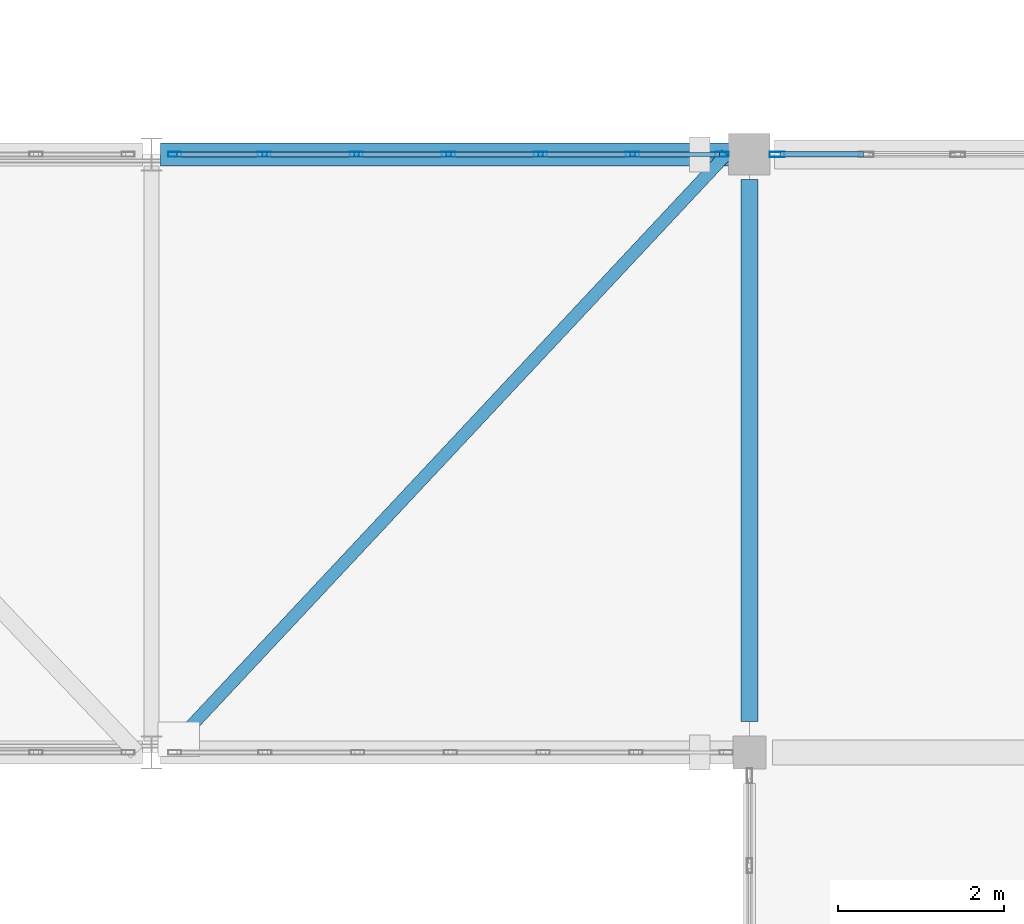
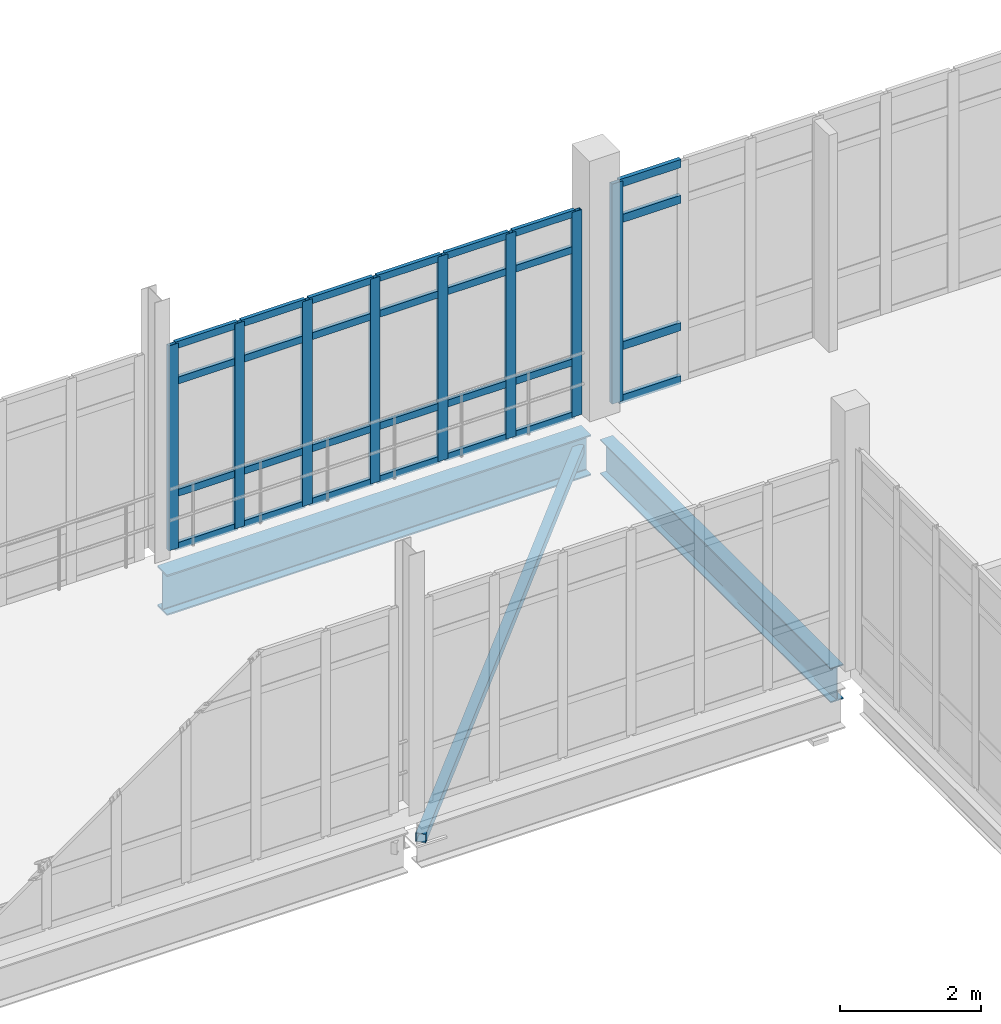
# One storey, part 50 of 116: 37 members, 2 beams, 2 elements without a shape of their own.
"""IFC4 building model written with IfcOpenShell, lengths in metres."""

from ifc_helpers import new_model, si_unit, direction, frame, origin, origin_2d, place, context, subcontext, project, spatial, hollow_rectangle, i_section, extrude, material, material_profile, profile_set, type_object, element, aggregate, save


model = new_model("IFC4")

# Units and contexts
model_context = context("Model", 3, precision=1e-05, world=origin(), true_north=direction((0.0, 1.0)))
body_context = subcontext(model_context, "Body", "Model", "MODEL_VIEW")
ifc_project = project(units=[si_unit("LENGTHUNIT", "METRE"), si_unit("AREAUNIT", "SQUARE_METRE"), si_unit("VOLUMEUNIT", "CUBIC_METRE"), si_unit("PLANEANGLEUNIT", "RADIAN"), si_unit("MASSUNIT", "GRAM", prefix="KILO")], contexts=[model_context])

# Site, building, storey
site_placement = place(None, origin())
site = spatial("IfcSite", under=ifc_project, at=site_placement, CompositionType="ELEMENT")
building_placement = place(site_placement, origin())
building = spatial("IfcBuilding", under=site, at=building_placement, Name="Kalluvel Institute of Natural Sciences", CompositionType="ELEMENT")
storey_placement = place(building_placement, frame((0.0, 0.0, 14.39990234375)))
storey = spatial("IfcBuildingStorey", under=building, at=storey_placement, Name="L03", CompositionType="ELEMENT", Elevation=14.39990234375)

# Beams
ifc_material_1 = material(Name="Steel E350 Grade 350", Category="steel")
ifc_material_profile_1 = material_profile(ifc_material_1, i_section(OverallWidth=0.2099609375, OverallDepth=0.60009765625, WebThickness=0.011962890625, FlangeThickness=0.020751953125, FilletRadius=0.02001953125, at=origin_2d()), Name="ISMB 600")
ifc_profile_set_1 = profile_set([ifc_material_profile_1], Name="Steel E350 Grade 350")
beam_type_1 = type_object("IfcBeamType", Name="BM-ISMB600", PredefinedType="BEAM", material=ifc_profile_set_1)
beam_1_placement = place(storey_placement, frame((100.39990234375, 28.77490234375, -0.619873046875), z_axis=(0.0, 1.0, 0.0), x_axis=(-1.0, 0.0, 0.0)))
element("IfcBeam", 1, at=beam_1_placement, inside=storey, type_object=beam_type_1, Name="L03 girder GIR-L03-NS-X1004-Y284", PredefinedType="BEAM", context=body_context, shape_type="SweptSolid", body=[
    extrude(i_section(OverallWidth=0.2099609375, OverallDepth=0.60009765625, WebThickness=0.011962890625, FlangeThickness=0.020751953125, FilletRadius=0.02001953125, at=origin_2d()), origin(), (0.0, 0.0, 1.0), 6.525146484375),
])
ifc_material_profile_2 = material_profile(ifc_material_1, i_section(OverallWidth=0.280029296875, OverallDepth=0.699951171875, WebThickness=0.013916015625, FlangeThickness=0.02392578125, FilletRadius=0.01611328125, at=origin_2d()), Name="WPG 700x280")
ifc_profile_set_2 = profile_set([ifc_material_profile_2], Name="Steel E350 Grade 350")
beam_type_2 = type_object("IfcBeamType", Name="BM-WPG700", PredefinedType="BEAM", material=ifc_profile_set_2)
beam_2_placement = place(storey_placement, frame((93.31005859375, 35.60009765625, -0.669921875), z_axis=(1.0, 0.0, 0.0), x_axis=(0.0, 1.0, 0.0)))
element("IfcBeam", 2, at=beam_2_placement, inside=storey, type_object=beam_type_2, Name="L03 link bridge main plate-girder chord 37", PredefinedType="BEAM", context=body_context, shape_type="SweptSolid", body=[
    extrude(i_section(OverallWidth=0.280029296875, OverallDepth=0.699951171875, WebThickness=0.013916015625, FlangeThickness=0.02392578125, FilletRadius=0.01611328125, at=origin_2d()), origin(), (0.0, 0.0, 1.0), 6.929931640625),
])

# Curtain wall, members
ifc_material_2 = material(Name="Aluminium AW-6063 T6", Category="aluminium")
curtain_wall_type_1 = type_object("IfcCurtainWallType", Name="CW-BRG-45", PredefinedType="USERDEFINED", material=ifc_material_2)
curtain_wall_1_placement = place(storey_placement, origin())
curtain_wall_1 = element("IfcCurtainWall", 3, at=curtain_wall_1_placement, inside=storey, type_object=curtain_wall_type_1, Name="L03 Gothic lancet curtain wall CWA-L03-X934-Y356", ObjectType="UNITISED LANCET FACADE", PredefinedType="USERDEFINED")
ifc_material_profile_3 = material_profile(ifc_material_2, hollow_rectangle(XDim=0.06005859375, YDim=0.159912109375, WallThickness=0.00390625, at=origin_2d()), Name="CWM 60x160")
ifc_profile_set_3 = profile_set([ifc_material_profile_3], Name="Aluminium AW-6063 T6")
member_type_1 = type_object("IfcMemberType", Name="CWM-60x160", PredefinedType="MULLION", material=ifc_profile_set_3)
member_1_placement = place(storey_placement, frame((93.47998046875, 35.60009765625, 0.0), z_axis=(0.0, 0.0, 1.0), x_axis=(0.0, 1.0, 0.0)))
member_1 = element("IfcMember", 4, at=member_1_placement, type_object=member_type_1, Name="CW-07 mullion 1", PredefinedType="MULLION", context=body_context, shape_type="SweptSolid", body=[
    extrude(hollow_rectangle(XDim=0.06005859375, YDim=0.159912109375, WallThickness=0.00390625, at=origin_2d()), origin(), (0.0, 0.0, 1.0), 3.5400390625),
])
member_2_placement = place(storey_placement, frame((94.558349609375, 35.60009765625, 0.0), z_axis=(0.0, 0.0, 1.0), x_axis=(0.0, 1.0, 0.0)))
member_2 = element("IfcMember", 5, at=member_2_placement, type_object=member_type_1, Name="CW-07 mullion 2", PredefinedType="MULLION", context=body_context, shape_type="SweptSolid", body=[
    extrude(hollow_rectangle(XDim=0.06005859375, YDim=0.159912109375, WallThickness=0.00390625, at=origin_2d()), origin(), (0.0, 0.0, 1.0), 3.5400390625),
])
member_3_placement = place(storey_placement, frame((95.666748046875, 35.60009765625, 0.0), z_axis=(0.0, 0.0, 1.0), x_axis=(0.0, 1.0, 0.0)))
member_3 = element("IfcMember", 6, at=member_3_placement, type_object=member_type_1, Name="CW-07 mullion 3", PredefinedType="MULLION", context=body_context, shape_type="SweptSolid", body=[
    extrude(hollow_rectangle(XDim=0.06005859375, YDim=0.159912109375, WallThickness=0.00390625, at=origin_2d()), origin(), (0.0, 0.0, 1.0), 3.5400390625),
])
member_4_placement = place(storey_placement, frame((96.77490234375, 35.60009765625, 0.0), z_axis=(0.0, 0.0, 1.0), x_axis=(0.0, 1.0, 0.0)))
member_4 = element("IfcMember", 7, at=member_4_placement, type_object=member_type_1, Name="CW-07 mullion 4", PredefinedType="MULLION", context=body_context, shape_type="SweptSolid", body=[
    extrude(hollow_rectangle(XDim=0.06005859375, YDim=0.159912109375, WallThickness=0.00390625, at=origin_2d()), origin(), (0.0, 0.0, 1.0), 3.5400390625),
])
member_5_placement = place(storey_placement, frame((97.88330078125, 35.60009765625, 0.0), z_axis=(0.0, 0.0, 1.0), x_axis=(0.0, 1.0, 0.0)))
member_5 = element("IfcMember", 8, at=member_5_placement, type_object=member_type_1, Name="CW-07 mullion 5", PredefinedType="MULLION", context=body_context, shape_type="SweptSolid", body=[
    extrude(hollow_rectangle(XDim=0.06005859375, YDim=0.159912109375, WallThickness=0.00390625, at=origin_2d()), origin(), (0.0, 0.0, 1.0), 3.5400390625),
])
member_6_placement = place(storey_placement, frame((98.99169921875, 35.60009765625, 0.0), z_axis=(0.0, 0.0, 1.0), x_axis=(0.0, 1.0, 0.0)))
member_6 = element("IfcMember", 9, at=member_6_placement, type_object=member_type_1, Name="CW-07 mullion 6", PredefinedType="MULLION", context=body_context, shape_type="SweptSolid", body=[
    extrude(hollow_rectangle(XDim=0.06005859375, YDim=0.159912109375, WallThickness=0.00390625, at=origin_2d()), origin(), (0.0, 0.0, 1.0), 3.5400390625),
])
member_7_placement = place(storey_placement, frame((100.070068359375, 35.60009765625, 0.0), z_axis=(0.0, 0.0, 1.0), x_axis=(0.0, 1.0, 0.0)))
member_7 = element("IfcMember", 10, at=member_7_placement, type_object=member_type_1, Name="CW-07 mullion 7", PredefinedType="MULLION", context=body_context, shape_type="SweptSolid", body=[
    extrude(hollow_rectangle(XDim=0.06005859375, YDim=0.159912109375, WallThickness=0.00390625, at=origin_2d()), origin(), (0.0, 0.0, 1.0), 3.5400390625),
])

# Curtain wall, member
curtain_wall_type_2 = type_object("IfcCurtainWallType", Name="CW-SPAV-45", PredefinedType="USERDEFINED", material=ifc_material_2)
curtain_wall_2_placement = place(storey_placement, origin())
curtain_wall_2 = element("IfcCurtainWall", 11, at=curtain_wall_2_placement, inside=storey, type_object=curtain_wall_type_2, Name="L03 Gothic lancet curtain wall CWA-L03-X1007-Y356", ObjectType="UNITISED LANCET FACADE", PredefinedType="USERDEFINED")
ifc_material_profile_4 = material_profile(ifc_material_2, hollow_rectangle(XDim=0.06494140625, YDim=0.179931640625, WallThickness=0.00439453125, at=origin_2d()), Name="CWM 65x180")
ifc_profile_set_4 = profile_set([ifc_material_profile_4], Name="Aluminium AW-6063 T6")
member_type_2 = type_object("IfcMemberType", Name="CWM-65x180", PredefinedType="MULLION", material=ifc_profile_set_4)
member_8_placement = place(storey_placement, frame((100.732421875, 35.60009765625, 0.0), z_axis=(0.0, 0.0, 1.0), x_axis=(0.0, 1.0, 0.0)))
member_8 = element("IfcMember", 12, at=member_8_placement, type_object=member_type_2, Name="CW-10 mullion 1", PredefinedType="MULLION", context=body_context, shape_type="SweptSolid", body=[
    extrude(hollow_rectangle(XDim=0.06494140625, YDim=0.179931640625, WallThickness=0.00439453125, at=origin_2d()), origin(), (0.0, 0.0, 1.0), 3.800048828125),
])

# Member
ifc_material_profile_5 = material_profile(ifc_material_2, hollow_rectangle(XDim=0.06005859375, YDim=0.1201171875, WallThickness=0.00390625, at=origin_2d()), Name="CWT 60x120")
ifc_profile_set_5 = profile_set([ifc_material_profile_5], Name="Aluminium AW-6063 T6")
member_type_3 = type_object("IfcMemberType", Name="CWT-60x120", PredefinedType="USERDEFINED", material=ifc_profile_set_5)
member_9_placement = place(storey_placement, frame((93.510009765625, 35.60009765625, 0.030029296875), z_axis=(1.0, 0.0, 0.0), x_axis=(0.0, 1.0, 0.0)))
member_9 = element("IfcMember", 13, at=member_9_placement, type_object=member_type_3, Name="CW-07 transom 1.1", ObjectType="TRANSOM", PredefinedType="USERDEFINED", context=body_context, shape_type="SweptSolid", body=[
    extrude(hollow_rectangle(XDim=0.06005859375, YDim=0.1201171875, WallThickness=0.00390625, at=origin_2d()), origin(), (0.0, 0.0, 1.0), 1.018310546875),
])

member_10_placement = place(storey_placement, frame((93.510009765625, 35.60009765625, 0.9501953125), z_axis=(1.0, 0.0, 0.0), x_axis=(0.0, 1.0, 0.0)))
member_10 = element("IfcMember", 14, at=member_10_placement, type_object=member_type_3, Name="CW-07 transom 1.2", ObjectType="TRANSOM", PredefinedType="USERDEFINED", context=body_context, shape_type="SweptSolid", body=[
    extrude(hollow_rectangle(XDim=0.06005859375, YDim=0.1201171875, WallThickness=0.00390625, at=origin_2d()), origin(), (0.0, 0.0, 1.0), 1.018310546875),
])

member_11_placement = place(storey_placement, frame((93.510009765625, 35.60009765625, 2.89013671875), z_axis=(1.0, 0.0, 0.0), x_axis=(0.0, 1.0, 0.0)))
member_11 = element("IfcMember", 15, at=member_11_placement, type_object=member_type_3, Name="CW-07 transom 1.3", ObjectType="TRANSOM", PredefinedType="USERDEFINED", context=body_context, shape_type="SweptSolid", body=[
    extrude(hollow_rectangle(XDim=0.06005859375, YDim=0.1201171875, WallThickness=0.00390625, at=origin_2d()), origin(), (0.0, 0.0, 1.0), 1.018310546875),
])

member_12_placement = place(storey_placement, frame((93.510009765625, 35.60009765625, 3.510009765625), z_axis=(1.0, 0.0, 0.0), x_axis=(0.0, 1.0, 0.0)))
member_12 = element("IfcMember", 16, at=member_12_placement, type_object=member_type_3, Name="CW-07 transom 1.4", ObjectType="TRANSOM", PredefinedType="USERDEFINED", context=body_context, shape_type="SweptSolid", body=[
    extrude(hollow_rectangle(XDim=0.06005859375, YDim=0.1201171875, WallThickness=0.00390625, at=origin_2d()), origin(), (0.0, 0.0, 1.0), 1.018310546875),
])

member_13_placement = place(storey_placement, frame((94.58837890625, 35.60009765625, 0.030029296875), z_axis=(1.0, 0.0, 0.0), x_axis=(0.0, 1.0, 0.0)))
member_13 = element("IfcMember", 17, at=member_13_placement, type_object=member_type_3, Name="CW-07 transom 2.1", ObjectType="TRANSOM", PredefinedType="USERDEFINED", context=body_context, shape_type="SweptSolid", body=[
    extrude(hollow_rectangle(XDim=0.06005859375, YDim=0.1201171875, WallThickness=0.00390625, at=origin_2d()), origin(), (0.0, 0.0, 1.0), 1.04833984375),
])

member_14_placement = place(storey_placement, frame((94.58837890625, 35.60009765625, 0.9501953125), z_axis=(1.0, 0.0, 0.0), x_axis=(0.0, 1.0, 0.0)))
member_14 = element("IfcMember", 18, at=member_14_placement, type_object=member_type_3, Name="CW-07 transom 2.2", ObjectType="TRANSOM", PredefinedType="USERDEFINED", context=body_context, shape_type="SweptSolid", body=[
    extrude(hollow_rectangle(XDim=0.06005859375, YDim=0.1201171875, WallThickness=0.00390625, at=origin_2d()), origin(), (0.0, 0.0, 1.0), 1.04833984375),
])

member_15_placement = place(storey_placement, frame((94.58837890625, 35.60009765625, 2.89013671875), z_axis=(1.0, 0.0, 0.0), x_axis=(0.0, 1.0, 0.0)))
member_15 = element("IfcMember", 19, at=member_15_placement, type_object=member_type_3, Name="CW-07 transom 2.3", ObjectType="TRANSOM", PredefinedType="USERDEFINED", context=body_context, shape_type="SweptSolid", body=[
    extrude(hollow_rectangle(XDim=0.06005859375, YDim=0.1201171875, WallThickness=0.00390625, at=origin_2d()), origin(), (0.0, 0.0, 1.0), 1.04833984375),
])

member_16_placement = place(storey_placement, frame((94.58837890625, 35.60009765625, 3.510009765625), z_axis=(1.0, 0.0, 0.0), x_axis=(0.0, 1.0, 0.0)))
member_16 = element("IfcMember", 20, at=member_16_placement, type_object=member_type_3, Name="CW-07 transom 2.4", ObjectType="TRANSOM", PredefinedType="USERDEFINED", context=body_context, shape_type="SweptSolid", body=[
    extrude(hollow_rectangle(XDim=0.06005859375, YDim=0.1201171875, WallThickness=0.00390625, at=origin_2d()), origin(), (0.0, 0.0, 1.0), 1.04833984375),
])

member_17_placement = place(storey_placement, frame((95.69677734375, 35.60009765625, 0.030029296875), z_axis=(1.0, 0.0, 0.0), x_axis=(0.0, 1.0, 0.0)))
member_17 = element("IfcMember", 21, at=member_17_placement, type_object=member_type_3, Name="CW-07 transom 3.1", ObjectType="TRANSOM", PredefinedType="USERDEFINED", context=body_context, shape_type="SweptSolid", body=[
    extrude(hollow_rectangle(XDim=0.06005859375, YDim=0.1201171875, WallThickness=0.00390625, at=origin_2d()), origin(), (0.0, 0.0, 1.0), 1.04833984375),
])

member_18_placement = place(storey_placement, frame((95.69677734375, 35.60009765625, 0.9501953125), z_axis=(1.0, 0.0, 0.0), x_axis=(0.0, 1.0, 0.0)))
member_18 = element("IfcMember", 22, at=member_18_placement, type_object=member_type_3, Name="CW-07 transom 3.2", ObjectType="TRANSOM", PredefinedType="USERDEFINED", context=body_context, shape_type="SweptSolid", body=[
    extrude(hollow_rectangle(XDim=0.06005859375, YDim=0.1201171875, WallThickness=0.00390625, at=origin_2d()), origin(), (0.0, 0.0, 1.0), 1.04833984375),
])

member_19_placement = place(storey_placement, frame((95.69677734375, 35.60009765625, 2.89013671875), z_axis=(1.0, 0.0, 0.0), x_axis=(0.0, 1.0, 0.0)))
member_19 = element("IfcMember", 23, at=member_19_placement, type_object=member_type_3, Name="CW-07 transom 3.3", ObjectType="TRANSOM", PredefinedType="USERDEFINED", context=body_context, shape_type="SweptSolid", body=[
    extrude(hollow_rectangle(XDim=0.06005859375, YDim=0.1201171875, WallThickness=0.00390625, at=origin_2d()), origin(), (0.0, 0.0, 1.0), 1.04833984375),
])

member_20_placement = place(storey_placement, frame((95.69677734375, 35.60009765625, 3.510009765625), z_axis=(1.0, 0.0, 0.0), x_axis=(0.0, 1.0, 0.0)))
member_20 = element("IfcMember", 24, at=member_20_placement, type_object=member_type_3, Name="CW-07 transom 3.4", ObjectType="TRANSOM", PredefinedType="USERDEFINED", context=body_context, shape_type="SweptSolid", body=[
    extrude(hollow_rectangle(XDim=0.06005859375, YDim=0.1201171875, WallThickness=0.00390625, at=origin_2d()), origin(), (0.0, 0.0, 1.0), 1.04833984375),
])

member_21_placement = place(storey_placement, frame((96.804931640625, 35.60009765625, 0.030029296875), z_axis=(1.0, 0.0, 0.0), x_axis=(0.0, 1.0, 0.0)))
member_21 = element("IfcMember", 25, at=member_21_placement, type_object=member_type_3, Name="CW-07 transom 4.1", ObjectType="TRANSOM", PredefinedType="USERDEFINED", context=body_context, shape_type="SweptSolid", body=[
    extrude(hollow_rectangle(XDim=0.06005859375, YDim=0.1201171875, WallThickness=0.00390625, at=origin_2d()), origin(), (0.0, 0.0, 1.0), 1.04833984375),
])

member_22_placement = place(storey_placement, frame((96.804931640625, 35.60009765625, 0.9501953125), z_axis=(1.0, 0.0, 0.0), x_axis=(0.0, 1.0, 0.0)))
member_22 = element("IfcMember", 26, at=member_22_placement, type_object=member_type_3, Name="CW-07 transom 4.2", ObjectType="TRANSOM", PredefinedType="USERDEFINED", context=body_context, shape_type="SweptSolid", body=[
    extrude(hollow_rectangle(XDim=0.06005859375, YDim=0.1201171875, WallThickness=0.00390625, at=origin_2d()), origin(), (0.0, 0.0, 1.0), 1.04833984375),
])

member_23_placement = place(storey_placement, frame((96.804931640625, 35.60009765625, 2.89013671875), z_axis=(1.0, 0.0, 0.0), x_axis=(0.0, 1.0, 0.0)))
member_23 = element("IfcMember", 27, at=member_23_placement, type_object=member_type_3, Name="CW-07 transom 4.3", ObjectType="TRANSOM", PredefinedType="USERDEFINED", context=body_context, shape_type="SweptSolid", body=[
    extrude(hollow_rectangle(XDim=0.06005859375, YDim=0.1201171875, WallThickness=0.00390625, at=origin_2d()), origin(), (0.0, 0.0, 1.0), 1.04833984375),
])

member_24_placement = place(storey_placement, frame((96.804931640625, 35.60009765625, 3.510009765625), z_axis=(1.0, 0.0, 0.0), x_axis=(0.0, 1.0, 0.0)))
member_24 = element("IfcMember", 28, at=member_24_placement, type_object=member_type_3, Name="CW-07 transom 4.4", ObjectType="TRANSOM", PredefinedType="USERDEFINED", context=body_context, shape_type="SweptSolid", body=[
    extrude(hollow_rectangle(XDim=0.06005859375, YDim=0.1201171875, WallThickness=0.00390625, at=origin_2d()), origin(), (0.0, 0.0, 1.0), 1.04833984375),
])

member_25_placement = place(storey_placement, frame((97.913330078125, 35.60009765625, 0.030029296875), z_axis=(1.0, 0.0, 0.0), x_axis=(0.0, 1.0, 0.0)))
member_25 = element("IfcMember", 29, at=member_25_placement, type_object=member_type_3, Name="CW-07 transom 5.1", ObjectType="TRANSOM", PredefinedType="USERDEFINED", context=body_context, shape_type="SweptSolid", body=[
    extrude(hollow_rectangle(XDim=0.06005859375, YDim=0.1201171875, WallThickness=0.00390625, at=origin_2d()), origin(), (0.0, 0.0, 1.0), 1.04833984375),
])

member_26_placement = place(storey_placement, frame((97.913330078125, 35.60009765625, 0.9501953125), z_axis=(1.0, 0.0, 0.0), x_axis=(0.0, 1.0, 0.0)))
member_26 = element("IfcMember", 30, at=member_26_placement, type_object=member_type_3, Name="CW-07 transom 5.2", ObjectType="TRANSOM", PredefinedType="USERDEFINED", context=body_context, shape_type="SweptSolid", body=[
    extrude(hollow_rectangle(XDim=0.06005859375, YDim=0.1201171875, WallThickness=0.00390625, at=origin_2d()), origin(), (0.0, 0.0, 1.0), 1.04833984375),
])

member_27_placement = place(storey_placement, frame((97.913330078125, 35.60009765625, 2.89013671875), z_axis=(1.0, 0.0, 0.0), x_axis=(0.0, 1.0, 0.0)))
member_27 = element("IfcMember", 31, at=member_27_placement, type_object=member_type_3, Name="CW-07 transom 5.3", ObjectType="TRANSOM", PredefinedType="USERDEFINED", context=body_context, shape_type="SweptSolid", body=[
    extrude(hollow_rectangle(XDim=0.06005859375, YDim=0.1201171875, WallThickness=0.00390625, at=origin_2d()), origin(), (0.0, 0.0, 1.0), 1.04833984375),
])

member_28_placement = place(storey_placement, frame((97.913330078125, 35.60009765625, 3.510009765625), z_axis=(1.0, 0.0, 0.0), x_axis=(0.0, 1.0, 0.0)))
member_28 = element("IfcMember", 32, at=member_28_placement, type_object=member_type_3, Name="CW-07 transom 5.4", ObjectType="TRANSOM", PredefinedType="USERDEFINED", context=body_context, shape_type="SweptSolid", body=[
    extrude(hollow_rectangle(XDim=0.06005859375, YDim=0.1201171875, WallThickness=0.00390625, at=origin_2d()), origin(), (0.0, 0.0, 1.0), 1.04833984375),
])

member_29_placement = place(storey_placement, frame((99.021728515625, 35.60009765625, 0.030029296875), z_axis=(1.0, 0.0, 0.0), x_axis=(0.0, 1.0, 0.0)))
member_29 = element("IfcMember", 33, at=member_29_placement, type_object=member_type_3, Name="CW-07 transom 6.1", ObjectType="TRANSOM", PredefinedType="USERDEFINED", context=body_context, shape_type="SweptSolid", body=[
    extrude(hollow_rectangle(XDim=0.06005859375, YDim=0.1201171875, WallThickness=0.00390625, at=origin_2d()), origin(), (0.0, 0.0, 1.0), 1.018310546875),
])

member_30_placement = place(storey_placement, frame((99.021728515625, 35.60009765625, 0.9501953125), z_axis=(1.0, 0.0, 0.0), x_axis=(0.0, 1.0, 0.0)))
member_30 = element("IfcMember", 34, at=member_30_placement, type_object=member_type_3, Name="CW-07 transom 6.2", ObjectType="TRANSOM", PredefinedType="USERDEFINED", context=body_context, shape_type="SweptSolid", body=[
    extrude(hollow_rectangle(XDim=0.06005859375, YDim=0.1201171875, WallThickness=0.00390625, at=origin_2d()), origin(), (0.0, 0.0, 1.0), 1.018310546875),
])

member_31_placement = place(storey_placement, frame((99.021728515625, 35.60009765625, 2.89013671875), z_axis=(1.0, 0.0, 0.0), x_axis=(0.0, 1.0, 0.0)))
member_31 = element("IfcMember", 35, at=member_31_placement, type_object=member_type_3, Name="CW-07 transom 6.3", ObjectType="TRANSOM", PredefinedType="USERDEFINED", context=body_context, shape_type="SweptSolid", body=[
    extrude(hollow_rectangle(XDim=0.06005859375, YDim=0.1201171875, WallThickness=0.00390625, at=origin_2d()), origin(), (0.0, 0.0, 1.0), 1.018310546875),
])

member_32_placement = place(storey_placement, frame((99.021728515625, 35.60009765625, 3.510009765625), z_axis=(1.0, 0.0, 0.0), x_axis=(0.0, 1.0, 0.0)))
member_32 = element("IfcMember", 36, at=member_32_placement, type_object=member_type_3, Name="CW-07 transom 6.4", ObjectType="TRANSOM", PredefinedType="USERDEFINED", context=body_context, shape_type="SweptSolid", body=[
    extrude(hollow_rectangle(XDim=0.06005859375, YDim=0.1201171875, WallThickness=0.00390625, at=origin_2d()), origin(), (0.0, 0.0, 1.0), 1.018310546875),
])

aggregate(curtain_wall_1, [member_1, member_2, member_3, member_4, member_5, member_6, member_7, member_9, member_10, member_11, member_12, member_13, member_14, member_15, member_16, member_17, member_18, member_19, member_20, member_21, member_22, member_23, member_24, member_25, member_26, member_27, member_28, member_29, member_30, member_31, member_32])

ifc_material_profile_6 = material_profile(ifc_material_2, hollow_rectangle(XDim=0.06494140625, YDim=0.139892578125, WallThickness=0.00439453125, at=origin_2d()), Name="CWT 65x140")
ifc_profile_set_6 = profile_set([ifc_material_profile_6], Name="Aluminium AW-6063 T6")
member_type_4 = type_object("IfcMemberType", Name="CWT-65x140", PredefinedType="USERDEFINED", material=ifc_profile_set_6)
member_33_placement = place(storey_placement, frame((100.764892578125, 35.60009765625, 0.03271484375), z_axis=(1.0, 0.0, 0.0), x_axis=(0.0, 1.0, 0.0)))
member_33 = element("IfcMember", 37, at=member_33_placement, type_object=member_type_4, Name="CW-10 transom 1.1", ObjectType="TRANSOM", PredefinedType="USERDEFINED", context=body_context, shape_type="SweptSolid", body=[
    extrude(hollow_rectangle(XDim=0.06494140625, YDim=0.139892578125, WallThickness=0.00439453125, at=origin_2d()), origin(), (0.0, 0.0, 1.0), 1.0068359375),
])

member_34_placement = place(storey_placement, frame((100.764892578125, 35.60009765625, 0.9501953125), z_axis=(1.0, 0.0, 0.0), x_axis=(0.0, 1.0, 0.0)))
member_34 = element("IfcMember", 38, at=member_34_placement, type_object=member_type_4, Name="CW-10 transom 1.2", ObjectType="TRANSOM", PredefinedType="USERDEFINED", context=body_context, shape_type="SweptSolid", body=[
    extrude(hollow_rectangle(XDim=0.06494140625, YDim=0.139892578125, WallThickness=0.00439453125, at=origin_2d()), origin(), (0.0, 0.0, 1.0), 1.0068359375),
])

member_35_placement = place(storey_placement, frame((100.764892578125, 35.60009765625, 3.150146484375), z_axis=(1.0, 0.0, 0.0), x_axis=(0.0, 1.0, 0.0)))
member_35 = element("IfcMember", 39, at=member_35_placement, type_object=member_type_4, Name="CW-10 transom 1.3", ObjectType="TRANSOM", PredefinedType="USERDEFINED", context=body_context, shape_type="SweptSolid", body=[
    extrude(hollow_rectangle(XDim=0.06494140625, YDim=0.139892578125, WallThickness=0.00439453125, at=origin_2d()), origin(), (0.0, 0.0, 1.0), 1.0068359375),
])

member_36_placement = place(storey_placement, frame((100.764892578125, 35.60009765625, 3.767578125), z_axis=(1.0, 0.0, 0.0), x_axis=(0.0, 1.0, 0.0)))
member_36 = element("IfcMember", 40, at=member_36_placement, type_object=member_type_4, Name="CW-10 transom 1.4", ObjectType="TRANSOM", PredefinedType="USERDEFINED", context=body_context, shape_type="SweptSolid", body=[
    extrude(hollow_rectangle(XDim=0.06494140625, YDim=0.139892578125, WallThickness=0.00439453125, at=origin_2d()), origin(), (0.0, 0.0, 1.0), 1.0068359375),
])

aggregate(curtain_wall_2, [member_8, member_33, member_34, member_35, member_36])

ifc_material_profile_7 = material_profile(ifc_material_1, hollow_rectangle(XDim=0.14990234375, YDim=0.14990234375, WallThickness=0.008056640625, at=origin_2d()), Name="SHS 150x150x8")
ifc_profile_set_7 = profile_set([ifc_material_profile_7], Name="Steel E350 Grade 350")
member_type_5 = type_object("IfcMemberType", Name="MB-BR-SHS150", PredefinedType="BRACE", material=ifc_profile_set_7)
member_37_placement = place(storey_placement, frame((93.3798828125, 28.39990234375, -0.599853515625), z_axis=(0.683404078651, 0.730040317574, 0.0), x_axis=(-0.730040317574, 0.683404078651, 0.0)))
element("IfcMember", 41, at=member_37_placement, inside=storey, type_object=member_type_5, Name="L03 link bridge horizontal plan brace L03-09-1", PredefinedType="BRACE", context=body_context, shape_type="SweptSolid", body=[
    extrude(hollow_rectangle(XDim=0.14990234375, YDim=0.14990234375, WallThickness=0.008056640625, at=origin_2d()), origin(), (0.0, 0.0, 1.0), 9.86279296875),
])

save(model, "model.ifc")
